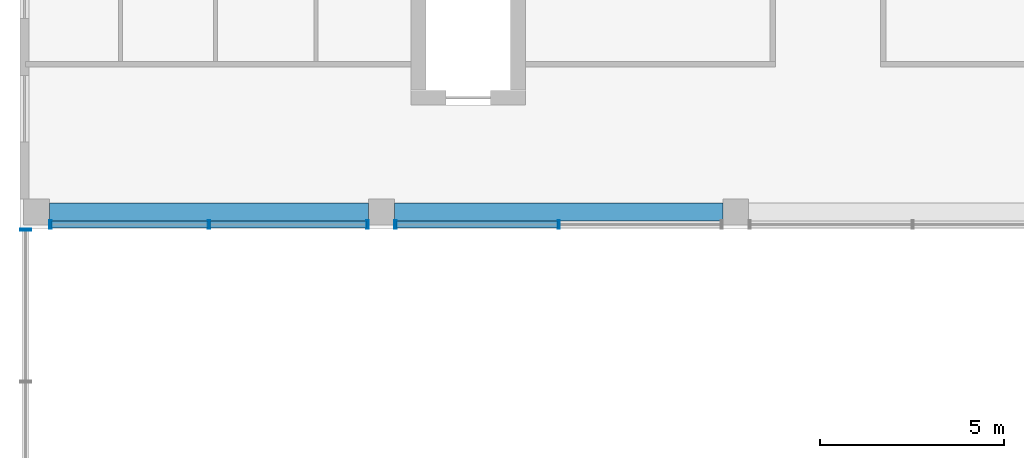
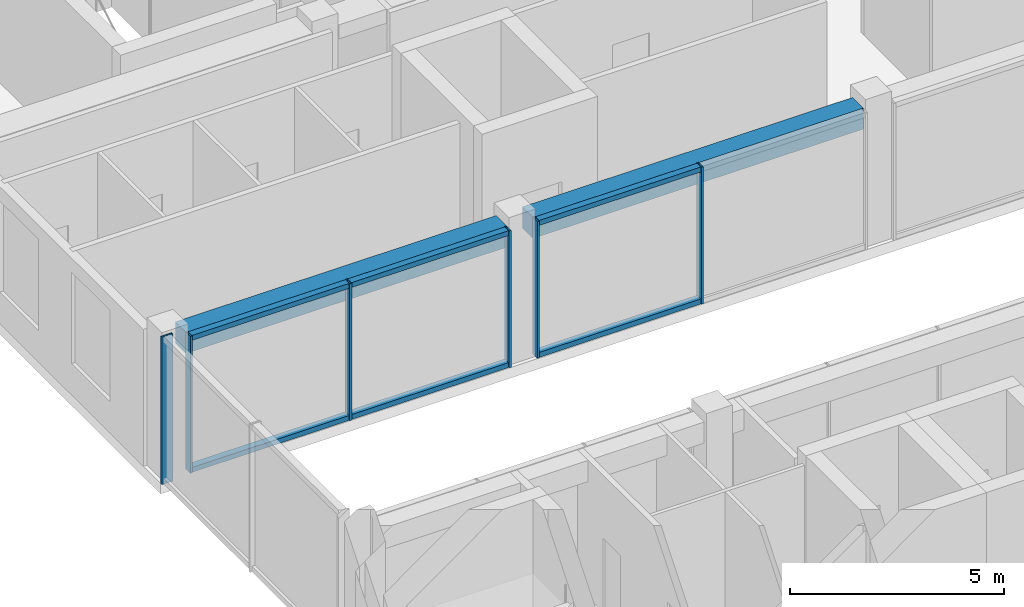
# One storey, part 8 of 27: 12 members, 2 beams, 3 elements without a shape of their own.
"""IFC4 building model written with IfcOpenShell, lengths in metres."""

from ifc_helpers import new_model, si_unit, direction, frame, origin, origin_2d, place, context, subcontext, project, spatial, rectangle, hollow_rectangle, extrude, material, layer, layer_set, material_profile, profile_set, type_object, element, aggregate, save


model = new_model("IFC4")

# Units and contexts
model_context = context("Model", 3, precision=1e-05, world=origin(), true_north=direction((0.0, 1.0)))
body_context = subcontext(model_context, "Body", "Model", "MODEL_VIEW")
ifc_project = project(units=[si_unit("LENGTHUNIT", "METRE"), si_unit("AREAUNIT", "SQUARE_METRE"), si_unit("VOLUMEUNIT", "CUBIC_METRE"), si_unit("PLANEANGLEUNIT", "RADIAN"), si_unit("MASSUNIT", "GRAM", prefix="KILO")], contexts=[model_context])

# Site, building, storey
site_placement = place(None, origin())
site = spatial("IfcSite", under=ifc_project, at=site_placement, CompositionType="ELEMENT")
building_placement = place(site_placement, origin())
building = spatial("IfcBuilding", under=site, at=building_placement, Name="Nzadi Deep Aquarium and Research Tower", CompositionType="ELEMENT")
storey_placement = place(building_placement, frame((0.0, 0.0, 69.699951171875)))
storey = spatial("IfcBuildingStorey", under=building, at=storey_placement, Name="L14", CompositionType="ELEMENT", Elevation=69.699951171875)

# Curtain wall, members
ifc_material_1 = material(Name="Aluminium unitised frame deep", Category="aluminium")
ifc_layer_1 = layer(ifc_material_1, 0.22509765625)
ifc_layer_set_1 = layer_set([ifc_layer_1], Name="Aluminium unitised frame deep")
curtain_wall_type_1 = type_object("IfcCurtainWallType", Name="Curtain wall Unitised Deep 225", PredefinedType="NOTDEFINED", material=ifc_layer_set_1)
curtain_wall_1_placement = place(storey_placement, origin())
curtain_wall_1 = element("IfcCurtainWall", 1, at=curtain_wall_1_placement, inside=storey, type_object=curtain_wall_type_1, Name="Unitised curtain wall blade B south L14", PredefinedType="NOTDEFINED")
ifc_material_2 = material(Name="Aluminium unitised frame deep", Category="aluminium")
ifc_material_profile_1 = material_profile(ifc_material_2, hollow_rectangle(XDim=0.22509765625, YDim=0.06005859375, WallThickness=0.0048828125, at=origin_2d()))
ifc_profile_set_1 = profile_set([ifc_material_profile_1], Name="Aluminium unitised frame deep")
member_type_1 = type_object("IfcMemberType", Name="Mullion 60x225 Unitised Deep", PredefinedType="MULLION", material=ifc_profile_set_1)
member_1_placement = place(storey_placement, frame((0.6298828125, 27.262451171875, 0.0), z_axis=(0.0, 0.0, 1.0), x_axis=(0.0, 1.0, 0.0)))
member_1 = element("IfcMember", 2, at=member_1_placement, type_object=member_type_1, Name="CW176 mullion 1", PredefinedType="MULLION", context=body_context, shape_type="SweptSolid", body=[
    extrude(hollow_rectangle(XDim=0.22509765625, YDim=0.06005859375, WallThickness=0.0048828125, at=origin_2d()), origin(), (0.0, 0.0, 1.0), 3.900146484375),
])
member_2_placement = place(storey_placement, frame((4.925048828125, 27.262451171875, 0.0), z_axis=(0.0, 0.0, 1.0), x_axis=(0.0, 1.0, 0.0)))
member_2 = element("IfcMember", 3, at=member_2_placement, type_object=member_type_1, Name="CW176 mullion 2", PredefinedType="MULLION", context=body_context, shape_type="SweptSolid", body=[
    extrude(hollow_rectangle(XDim=0.22509765625, YDim=0.06005859375, WallThickness=0.0048828125, at=origin_2d()), origin(), (0.0, 0.0, 1.0), 3.900146484375),
])
member_3_placement = place(storey_placement, frame((9.219970703125, 27.262451171875, 0.0), z_axis=(0.0, 0.0, 1.0), x_axis=(0.0, 1.0, 0.0)))
member_3 = element("IfcMember", 4, at=member_3_placement, type_object=member_type_1, Name="CW176 mullion 3", PredefinedType="MULLION", context=body_context, shape_type="SweptSolid", body=[
    extrude(hollow_rectangle(XDim=0.22509765625, YDim=0.06005859375, WallThickness=0.0048828125, at=origin_2d()), origin(), (0.0, 0.0, 1.0), 3.900146484375),
])

curtain_wall_2_placement = place(storey_placement, origin())
curtain_wall_2 = element("IfcCurtainWall", 5, at=curtain_wall_2_placement, inside=storey, type_object=curtain_wall_type_1, Name="Unitised curtain wall blade B south L14", PredefinedType="NOTDEFINED")
member_4_placement = place(storey_placement, frame((9.97998046875, 27.262451171875, 0.0), z_axis=(0.0, 0.0, 1.0), x_axis=(0.0, 1.0, 0.0)))
member_4 = element("IfcMember", 6, at=member_4_placement, type_object=member_type_1, Name="CW177 mullion 1", PredefinedType="MULLION", context=body_context, shape_type="SweptSolid", body=[
    extrude(hollow_rectangle(XDim=0.22509765625, YDim=0.06005859375, WallThickness=0.0048828125, at=origin_2d()), origin(), (0.0, 0.0, 1.0), 3.900146484375),
])
member_5_placement = place(storey_placement, frame((14.39990234375, 27.262451171875, 0.0), z_axis=(0.0, 0.0, 1.0), x_axis=(0.0, 1.0, 0.0)))
member_5 = element("IfcMember", 7, at=member_5_placement, type_object=member_type_1, Name="CW177 mullion 2", PredefinedType="MULLION", context=body_context, shape_type="SweptSolid", body=[
    extrude(hollow_rectangle(XDim=0.22509765625, YDim=0.06005859375, WallThickness=0.0048828125, at=origin_2d()), origin(), (0.0, 0.0, 1.0), 3.900146484375),
])

# Curtain wall, member
ifc_material_3 = material(Name="Aluminium unitised frame wind post", Category="aluminium")
ifc_layer_2 = layer(ifc_material_3, 0.300048828125)
ifc_layer_set_2 = layer_set([ifc_layer_2], Name="Aluminium unitised frame wind post")
curtain_wall_type_2 = type_object("IfcCurtainWallType", Name="Curtain wall Slot End 300", PredefinedType="NOTDEFINED", material=ifc_layer_set_2)
curtain_wall_3_placement = place(storey_placement, origin())
curtain_wall_3 = element("IfcCurtainWall", 8, at=curtain_wall_3_placement, inside=storey, type_object=curtain_wall_type_2, Name="Glazed slot end west L14", PredefinedType="NOTDEFINED")
ifc_material_4 = material(Name="Aluminium unitised frame wind post", Category="aluminium")
ifc_material_profile_2 = material_profile(ifc_material_4, hollow_rectangle(XDim=0.300048828125, YDim=0.06005859375, WallThickness=0.0048828125, at=origin_2d()))
ifc_profile_set_2 = profile_set([ifc_material_profile_2], Name="Aluminium unitised frame wind post")
member_type_2 = type_object("IfcMemberType", Name="Mullion 60x300 Slot End", PredefinedType="MULLION", material=ifc_profile_set_2)
member_6_placement = place(storey_placement, frame((-0.049560546875, 27.1201171875, 0.0), z_axis=(0.0, 0.0, 1.0), x_axis=(-1.0, 0.0, 0.0)))
member_6 = element("IfcMember", 9, at=member_6_placement, type_object=member_type_2, Name="CW219 mullion 3", PredefinedType="MULLION", context=body_context, shape_type="SweptSolid", body=[
    extrude(hollow_rectangle(XDim=0.300048828125, YDim=0.06005859375, WallThickness=0.0048828125, at=origin_2d()), origin(), (0.0, 0.0, 1.0), 4.199951171875),
])
aggregate(curtain_wall_3, [member_6])

# Beams
ifc_material_5 = material(Name="Concrete C35/45", Category="concrete")
ifc_material_profile_3 = material_profile(ifc_material_5, rectangle(XDim=0.5, YDim=0.60009765625, at=origin_2d()))
ifc_profile_set_3 = profile_set([ifc_material_profile_3], Name="Concrete C35/45")
beam_type = type_object("IfcBeamType", Name="RC 500x600", PredefinedType="BEAM", material=ifc_profile_set_3)
beam_1_placement = place(storey_placement, frame((0.60009765625, 27.60009765625, 3.60009765625), z_axis=(1.0, 0.0, 0.0), x_axis=(0.0, 1.0, 0.0)))
element("IfcBeam", 10, at=beam_1_placement, inside=storey, type_object=beam_type, Name="B-Z1-L14-L4-1", PredefinedType="BEAM", context=body_context, shape_type="SweptSolid", body=[
    extrude(rectangle(XDim=0.5, YDim=0.60009765625, at=origin_2d()), origin(), (0.0, 0.0, 1.0), 8.64990234375),
])
beam_2_placement = place(storey_placement, frame((9.949951171875, 27.60009765625, 3.60009765625), z_axis=(1.0, 0.0, 0.0), x_axis=(0.0, 1.0, 0.0)))
element("IfcBeam", 11, at=beam_2_placement, inside=storey, type_object=beam_type, Name="B-Z1-L14-L4-2", PredefinedType="BEAM", context=body_context, shape_type="SweptSolid", body=[
    extrude(rectangle(XDim=0.5, YDim=0.60009765625, at=origin_2d()), origin(), (0.0, 0.0, 1.0), 8.900146484375),
])

# Member
ifc_material_6 = material(Name="Aluminium unitised frame deep", Category="aluminium")
ifc_material_profile_4 = material_profile(ifc_material_6, hollow_rectangle(XDim=0.179931640625, YDim=0.139892578125, WallThickness=0.0048828125, at=origin_2d()))
ifc_profile_set_4 = profile_set([ifc_material_profile_4], Name="Aluminium unitised frame deep")
member_type_3 = type_object("IfcMemberType", Name="Transom 140x180 Unitised Deep", PredefinedType="MULLION", material=ifc_profile_set_4)
member_7_placement = place(storey_placement, frame((0.659912109375, 27.262451171875, 0.070068359375), z_axis=(1.0, 0.0, 0.0), x_axis=(0.0, 1.0, 0.0)))
member_7 = element("IfcMember", 12, at=member_7_placement, type_object=member_type_3, Name="CW176 transom 1.1", PredefinedType="MULLION", context=body_context, shape_type="SweptSolid", body=[
    extrude(hollow_rectangle(XDim=0.179931640625, YDim=0.139892578125, WallThickness=0.0048828125, at=origin_2d()), origin(), (0.0, 0.0, 1.0), 4.235107421875),
])

member_8_placement = place(storey_placement, frame((0.659912109375, 27.262451171875, 3.830078125), z_axis=(1.0, 0.0, 0.0), x_axis=(0.0, 1.0, 0.0)))
member_8 = element("IfcMember", 13, at=member_8_placement, type_object=member_type_3, Name="CW176 transom 1.2", PredefinedType="MULLION", context=body_context, shape_type="SweptSolid", body=[
    extrude(hollow_rectangle(XDim=0.179931640625, YDim=0.139892578125, WallThickness=0.0048828125, at=origin_2d()), origin(), (0.0, 0.0, 1.0), 4.235107421875),
])

member_9_placement = place(storey_placement, frame((4.955078125, 27.262451171875, 0.070068359375), z_axis=(1.0, 0.0, 0.0), x_axis=(0.0, 1.0, 0.0)))
member_9 = element("IfcMember", 14, at=member_9_placement, type_object=member_type_3, Name="CW176 transom 2.1", PredefinedType="MULLION", context=body_context, shape_type="SweptSolid", body=[
    extrude(hollow_rectangle(XDim=0.179931640625, YDim=0.139892578125, WallThickness=0.0048828125, at=origin_2d()), origin(), (0.0, 0.0, 1.0), 4.23486328125),
])

member_10_placement = place(storey_placement, frame((4.955078125, 27.262451171875, 3.830078125), z_axis=(1.0, 0.0, 0.0), x_axis=(0.0, 1.0, 0.0)))
member_10 = element("IfcMember", 15, at=member_10_placement, type_object=member_type_3, Name="CW176 transom 2.2", PredefinedType="MULLION", context=body_context, shape_type="SweptSolid", body=[
    extrude(hollow_rectangle(XDim=0.179931640625, YDim=0.139892578125, WallThickness=0.0048828125, at=origin_2d()), origin(), (0.0, 0.0, 1.0), 4.23486328125),
])

aggregate(curtain_wall_1, [member_1, member_2, member_3, member_7, member_8, member_9, member_10])

member_11_placement = place(storey_placement, frame((10.010009765625, 27.262451171875, 0.070068359375), z_axis=(1.0, 0.0, 0.0), x_axis=(0.0, 1.0, 0.0)))
member_11 = element("IfcMember", 16, at=member_11_placement, type_object=member_type_3, Name="CW177 transom 1.1", PredefinedType="MULLION", context=body_context, shape_type="SweptSolid", body=[
    extrude(hollow_rectangle(XDim=0.179931640625, YDim=0.139892578125, WallThickness=0.0048828125, at=origin_2d()), origin(), (0.0, 0.0, 1.0), 4.360107421875),
])

member_12_placement = place(storey_placement, frame((10.010009765625, 27.262451171875, 3.830078125), z_axis=(1.0, 0.0, 0.0), x_axis=(0.0, 1.0, 0.0)))
member_12 = element("IfcMember", 17, at=member_12_placement, type_object=member_type_3, Name="CW177 transom 1.2", PredefinedType="MULLION", context=body_context, shape_type="SweptSolid", body=[
    extrude(hollow_rectangle(XDim=0.179931640625, YDim=0.139892578125, WallThickness=0.0048828125, at=origin_2d()), origin(), (0.0, 0.0, 1.0), 4.360107421875),
])

aggregate(curtain_wall_2, [member_4, member_5, member_11, member_12])

save(model, "model.ifc")
